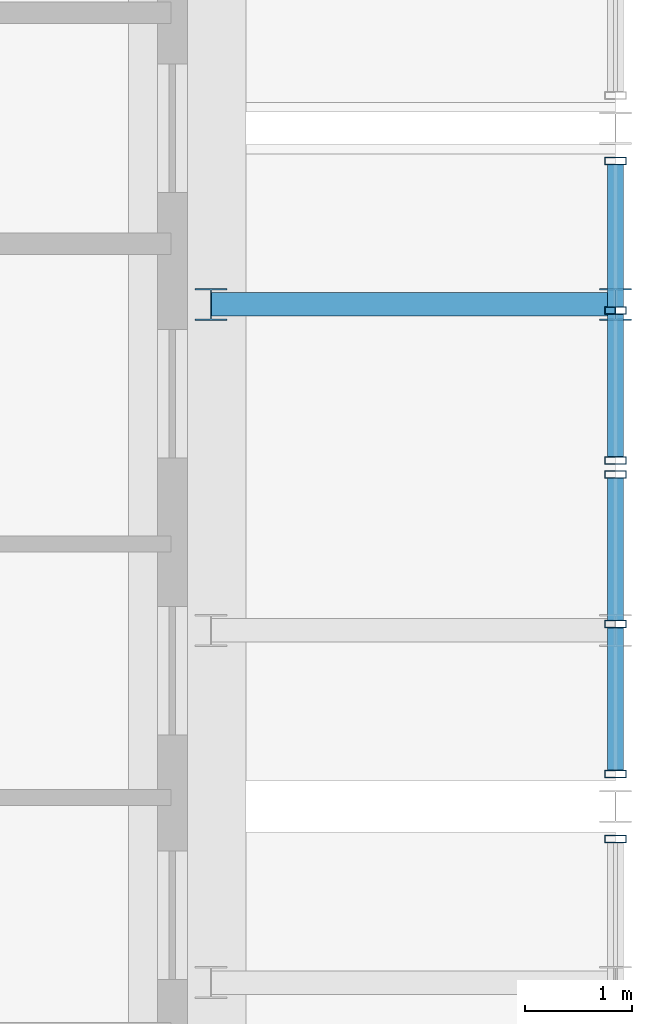
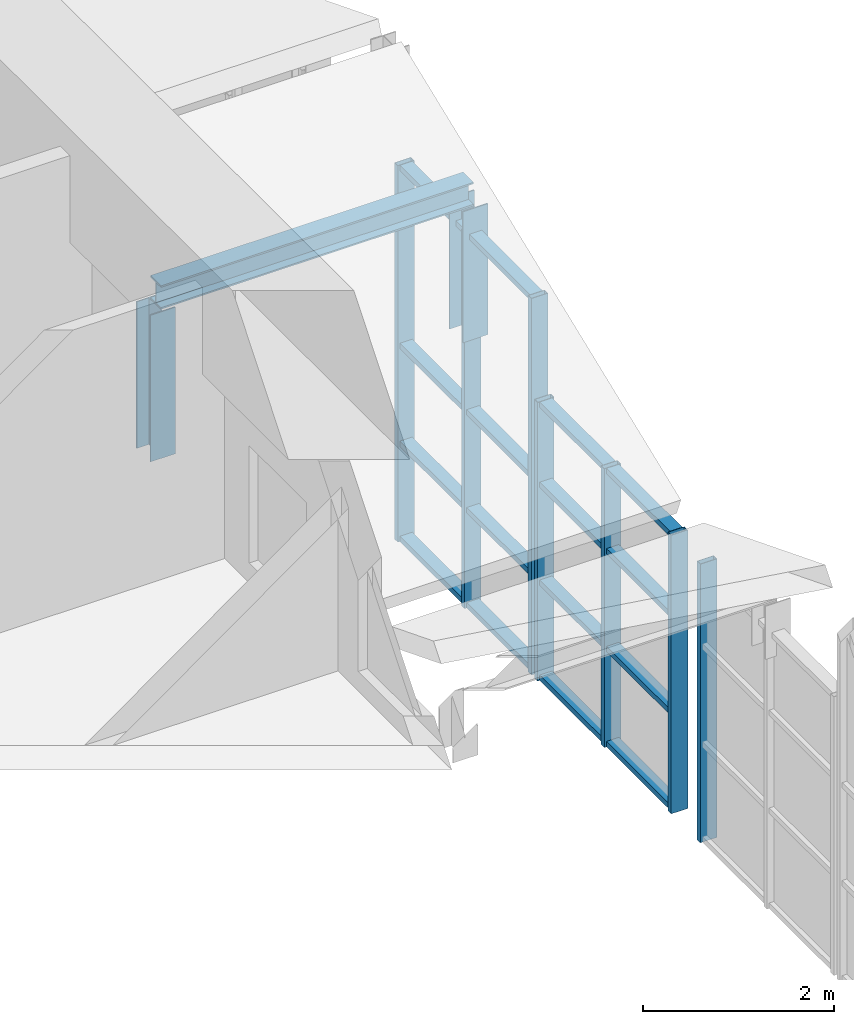
# One storey, part 16 of 45: 26 members, 3 elements without a shape of their own.
"""IFC4 building model written with IfcOpenShell, lengths in metres."""

import ifcopenshell
import ifcopenshell.guid

model = None  # the IFC model being written
_history = None  # IfcOwnerHistory: only IFC2X3 demands one
_inside = {}  # id of a spatial element -> (the spatial element, [elements in it])
_under = {}  # id of a project, library or spatial element -> (it, [spatial elements below it])
_declared = {}  # id of a project -> (the project, [libraries it declares])
_typed = {}  # id of a type object -> (the type object, [elements of that type])
_made_of = {}  # id of a material, layer set ... -> (it, [elements and type objects made of it])


def new_model(schema):
    """Start an empty IFC model of exactly this schema.

    Asked for "IFC4X3", IfcOpenShell would pick the latest addendum, in which some entities
    have other attributes; the version numbers below select the first issue.
    IFC2X3 requires an IfcOwnerHistory on every rooted entity: one is made here for all.
    """
    global model, _history
    if schema == "IFC4X3":
        model = ifcopenshell.file(schema_version=(4, 3, 0, 0))
    else:
        model = ifcopenshell.file(schema=schema)
    _inside.clear()
    _under.clear()
    _declared.clear()
    _typed.clear()
    _made_of.clear()
    _history = None
    if model.schema == "IFC2X3":
        org = make("IfcOrganization", Name="unknown")
        user = make(
            "IfcPersonAndOrganization",
            ThePerson=make("IfcPerson", FamilyName="unknown"),
            TheOrganization=org,
        )
        app = make(
            "IfcApplication",
            ApplicationDeveloper=org,
            Version="unknown",
            ApplicationFullName="unknown",
            ApplicationIdentifier="unknown",
        )
        _history = make(
            "IfcOwnerHistory",
            OwningUser=user,
            OwningApplication=app,
            ChangeAction="ADDED",
            CreationDate=0,
        )
    return model


def make(cls, **values):
    """One entity of the class cls with the attributes given. An attribute that is None is left unset."""
    return model.create_entity(
        cls, **{name: value for name, value in values.items() if value is not None}
    )


def rooted(cls, **values):
    """An entity with a GlobalId (a new one), such as an element, a storey or a relation."""
    return make(cls, GlobalId=ifcopenshell.guid.new(), OwnerHistory=_history, **values)


def si_unit(unit_type, name, prefix=None):
    """IfcSIUnit, for example si_unit("LENGTHUNIT", "METRE", prefix="MILLI")."""
    return make("IfcSIUnit", UnitType=unit_type, Prefix=prefix, Name=name)


def assignment(units):
    """IfcUnitAssignment: the units of a project."""
    return None if units is None else make("IfcUnitAssignment", Units=units)


def point(xyz):
    """IfcCartesianPoint."""
    return None if xyz is None else make("IfcCartesianPoint", Coordinates=xyz)


def direction(xyz):
    """IfcDirection."""
    return None if xyz is None else make("IfcDirection", DirectionRatios=xyz)


def frame(location, z_axis=None, x_axis=None):
    """IfcAxis2Placement3D, a coordinate frame: its origin and axes. An axis left out is left unset."""
    return make(
        "IfcAxis2Placement3D",
        Location=point(location),
        Axis=direction(z_axis),
        RefDirection=direction(x_axis),
    )


def frame_2d(location, x_axis=None):
    """IfcAxis2Placement2D, a coordinate frame in the plane: its origin and x axis."""
    return make(
        "IfcAxis2Placement2D", Location=point(location), RefDirection=direction(x_axis)
    )


def origin():
    """The frame at (0, 0, 0) with its axes left unset."""
    return frame((0.0, 0.0, 0.0))


def origin_2d():
    """The frame at (0, 0) in the plane with its x axis left unset."""
    return frame_2d((0.0, 0.0))


def place(relative_to, where):
    """IfcLocalPlacement: puts the frame where relative to a parent placement (None: the world)."""
    return make(
        "IfcLocalPlacement", PlacementRelTo=relative_to, RelativePlacement=where
    )


def context(
    kind, dimensions, precision=None, world=None, true_north=None, identifier=None
):
    """IfcGeometricRepresentationContext, for example the 3D "Model" context."""
    return make(
        "IfcGeometricRepresentationContext",
        ContextIdentifier=identifier,
        ContextType=kind,
        CoordinateSpaceDimension=dimensions,
        Precision=precision,
        WorldCoordinateSystem=world,
        TrueNorth=true_north,
    )


def subcontext(parent, identifier, kind, view, scale=None):
    """IfcGeometricRepresentationSubContext, for example "Body" below "Model"."""
    return make(
        "IfcGeometricRepresentationSubContext",
        ContextIdentifier=identifier,
        ContextType=kind,
        ParentContext=parent,
        TargetScale=scale,
        TargetView=view,
    )


def project(units=None, contexts=None):
    """IfcProject with its units and contexts."""
    return rooted(
        "IfcProject",
        Name="project",
        RepresentationContexts=contexts,
        UnitsInContext=assignment(units),
    )


def spatial(cls, under=None, at=None, **own):
    """A site, building, storey or space (cls), placed at a placement, below another one or the project."""
    s = rooted(cls, ObjectPlacement=at, **own)
    if under is not None:
        _under.setdefault(under.id(), (under, []))[1].append(s)
    return s


def profile(cls, at=None, kind="AREA", **sizes):
    """A parametric profile (cls). Its sizes go by their IFC names, for example OverallWidth=200.0."""
    return make(cls, ProfileType=kind, Position=at, **sizes)


def hollow_rectangle(**sizes):
    """IfcRectangleHollowProfileDef."""
    return profile("IfcRectangleHollowProfileDef", **sizes)


def i_section(**sizes):
    """IfcIShapeProfileDef."""
    return profile("IfcIShapeProfileDef", **sizes)


def extrude(swept, where, along, depth):
    """IfcExtrudedAreaSolid: the profile swept, set in the frame where, extruded along a direction by depth."""
    return make(
        "IfcExtrudedAreaSolid",
        SweptArea=swept,
        Position=where,
        ExtrudedDirection=direction(along),
        Depth=depth,
    )


def shape(context_of_items, identifier, shape_type, items):
    """IfcShapeRepresentation: the items that make up one representation, for example the "Body"."""
    return make(
        "IfcShapeRepresentation",
        ContextOfItems=context_of_items,
        RepresentationIdentifier=identifier,
        RepresentationType=shape_type,
        Items=items,
    )


def source(mapping_origin, context_of_items, identifier, shape_type, items):
    """IfcRepresentationMap: a shape defined once, which mapped items show again and again."""
    return make(
        "IfcRepresentationMap",
        MappingOrigin=mapping_origin,
        MappedRepresentation=shape(context_of_items, identifier, shape_type, items),
    )


def transform(
    local_origin,
    x_axis=None,
    y_axis=None,
    z_axis=None,
    scale=None,
    scale2=None,
    scale3=None,
    uniform=True,
):
    """IfcCartesianTransformationOperator3D, or its non-uniform kind. x_axis, y_axis, z_axis: its Axis1, 2, 3."""
    if uniform:
        return make(
            "IfcCartesianTransformationOperator3D",
            Axis1=direction(x_axis),
            Axis2=direction(y_axis),
            LocalOrigin=point(local_origin),
            Scale=scale,
            Axis3=direction(z_axis),
        )
    return make(
        "IfcCartesianTransformationOperator3DnonUniform",
        Axis1=direction(x_axis),
        Axis2=direction(y_axis),
        LocalOrigin=point(local_origin),
        Scale=scale,
        Axis3=direction(z_axis),
        Scale2=scale2,
        Scale3=scale3,
    )


def mapped(mapping_source, mapping_target):
    """IfcMappedItem: shows the shape of a source again, moved by a transform."""
    return make(
        "IfcMappedItem", MappingSource=mapping_source, MappingTarget=mapping_target
    )


def material(Name=None, Category=None):
    """IfcMaterial."""
    return make("IfcMaterial", Name=Name, Category=Category)


def layer(
    of_material, thickness, ventilated=None, Name=None, Category=None, Priority=None
):
    """IfcMaterialLayer: one layer of a wall or slab, of a material (None: an air gap)."""
    return make(
        "IfcMaterialLayer",
        Material=of_material,
        LayerThickness=thickness,
        IsVentilated=ventilated,
        Name=Name,
        Category=Category,
        Priority=Priority,
    )


def layer_set(layers, Name=None):
    """IfcMaterialLayerSet."""
    return make("IfcMaterialLayerSet", MaterialLayers=layers, LayerSetName=Name)


def material_profile(
    of_material, cross_section, Name=None, Category=None, Priority=None
):
    """IfcMaterialProfile: a cross section and its material."""
    return make(
        "IfcMaterialProfile",
        Name=Name,
        Material=of_material,
        Profile=cross_section,
        Priority=Priority,
        Category=Category,
    )


def profile_set(profiles, Name=None, composite=None):
    """IfcMaterialProfileSet."""
    return make(
        "IfcMaterialProfileSet",
        Name=Name,
        MaterialProfiles=profiles,
        CompositeProfile=composite,
    )


def made_of(thing, what):
    """Note that an element or type object is made of a material, layer set ...; save() writes the relation."""
    if what is not None:
        _made_of.setdefault(what.id(), (what, []))[1].append(thing)
    return thing


def type_object(cls, material=None, **own):
    """A type object (cls), such as IfcWallType, which elements share."""
    return made_of(rooted(cls, **own), material)


def element(
    cls,
    number,
    at=None,
    inside=None,
    cuts=None,
    type_object=None,
    material=None,
    context=None,
    identifier="Body",
    shape_type=None,
    held_by="IfcProductDefinitionShape",
    body=None,
    shapes=None,
    **own,
):
    """One element of the class cls, such as IfcWall. Its Tag is "e" and its number.

    at: its placement. inside: the storey or other place that contains it. cuts: it is an
    opening in that element (IfcRelVoidsElement). A single representation is given by context,
    identifier, shape_type and body (its items); several are given by shapes. held_by: the class
    of the entity that holds the representations. save() writes the other relations.
    """
    e = rooted(cls, Tag="e%d" % number, ObjectPlacement=at, **own)
    if body is not None:
        shapes = [shape(context, identifier, shape_type, body)]
    if shapes is not None:
        e.Representation = make(held_by, Representations=shapes)
    if inside is not None:
        _inside.setdefault(inside.id(), (inside, []))[1].append(e)
    if cuts is not None:
        rooted(
            "IfcRelVoidsElement", RelatingBuildingElement=cuts, RelatedOpeningElement=e
        )
    if type_object is not None:
        _typed.setdefault(type_object.id(), (type_object, []))[1].append(e)
    return made_of(e, material)


def aggregate(whole, parts):
    """IfcRelAggregates: a whole, such as a stair, and the parts it consists of."""
    return rooted("IfcRelAggregates", RelatingObject=whole, RelatedObjects=parts)


def save(model, path):
    """Write the relations noted so far, then the file.

    IfcRelAggregates (storeys below a building ...), IfcRelContainedInSpatialStructure (elements
    in a storey), IfcRelDefinesByType, IfcRelAssociatesMaterial and IfcRelDeclares: one each for
    every whole, place, type object, material and project.
    """
    for whole, parts in _under.values():
        aggregate(whole, parts)
    for where, things in _inside.values():
        rooted(
            "IfcRelContainedInSpatialStructure",
            RelatedElements=things,
            RelatingStructure=where,
        )
    for kind, things in _typed.values():
        rooted("IfcRelDefinesByType", RelatedObjects=things, RelatingType=kind)
    for what, things in _made_of.values():
        rooted("IfcRelAssociatesMaterial", RelatedObjects=things, RelatingMaterial=what)
    for by, libraries in _declared.values():
        rooted("IfcRelDeclares", RelatingContext=by, RelatedDefinitions=libraries)
    model.write(path)


model = new_model("IFC4")

# Units and contexts
model_context = context("Model", 3, precision=1e-05, world=origin(), true_north=direction((0.0, 1.0)))
body_context = subcontext(model_context, "Body", "Model", "MODEL_VIEW")
ifc_project = project(units=[si_unit("LENGTHUNIT", "METRE"), si_unit("AREAUNIT", "SQUARE_METRE"), si_unit("VOLUMEUNIT", "CUBIC_METRE"), si_unit("PLANEANGLEUNIT", "RADIAN"), si_unit("MASSUNIT", "GRAM", prefix="KILO")], contexts=[model_context])

# Site, building, storey
site_placement = place(None, origin())
site = spatial("IfcSite", under=ifc_project, at=site_placement, CompositionType="ELEMENT")
building_placement = place(site_placement, origin())
building = spatial("IfcBuilding", under=site, at=building_placement, Name="Saelheon Loggia Tower", CompositionType="ELEMENT")
storey_placement = place(building_placement, frame((0.0, 0.0, 152.199951171875)))
storey = spatial("IfcBuildingStorey", under=building, at=storey_placement, Name="L48", CompositionType="ELEMENT", Elevation=152.199951171875)

# Members
ifc_material_1 = material(Name="Steel SM355", Category="steel")
ifc_material_profile_1 = material_profile(ifc_material_1, i_section(OverallWidth=0.219970703125, OverallDepth=0.300048828125, WebThickness=0.011962890625, FlangeThickness=0.02001953125, at=origin_2d()), Name="H-300x220x12x20")
ifc_profile_set_1 = profile_set([ifc_material_profile_1], Name="Steel SM355")
member_type_1 = type_object("IfcMemberType", Name="Roof_ShoulderPurlin_RHS300", PredefinedType="PURLIN", material=ifc_profile_set_1)
shared_shape_1 = source(origin(), body_context, "Body", "SweptSolid", [
    extrude(i_section(OverallWidth=0.219970703125, OverallDepth=0.300048828125, WebThickness=0.011962890625, FlangeThickness=0.02001953125, at=origin_2d()), origin(), (0.0, 0.0, 1.0), 3.780029296875),
])
member_1_placement = place(storey_placement, frame((64.0, 25.355224609375, 1.823486328125), z_axis=(-1.0, 0.0, 0.0), x_axis=(0.0, -1.0, 0.0)))
element("IfcMember", 1, at=member_1_placement, inside=storey, type_object=member_type_1, Name="Tier 1 Wave Crest Rafter E 03 B", PredefinedType="PURLIN", context=body_context, shape_type="MappedRepresentation", body=[
    mapped(shared_shape_1, transform((0.0, 0.0, 0.0), scale=1.0)),
])
ifc_material_profile_2 = material_profile(ifc_material_1, i_section(OverallWidth=0.300048828125, OverallDepth=0.300048828125, WebThickness=0.010009765625, FlangeThickness=0.014892578125, at=origin_2d()), Name="H-300x300x10x15")
ifc_profile_set_2 = profile_set([ifc_material_profile_2], Name="Steel SM355")
member_type_2 = type_object("IfcMemberType", Name="WaveCrest_Post_H300", PredefinedType="POST", material=ifc_profile_set_2)
shared_shape_2 = source(origin(), body_context, "Body", "SweptSolid", [
    extrude(i_section(OverallWidth=0.300048828125, OverallDepth=0.300048828125, WebThickness=0.010009765625, FlangeThickness=0.014892578125, at=origin_2d()), origin(), (0.0, 0.0, 1.0), 1.673583984375),
])
member_2_placement = place(storey_placement, frame((64.0, 25.355224609375, 0.0), z_axis=(0.0, 0.0, 1.0), x_axis=(1.0, 0.0, 0.0)))
element("IfcMember", 2, at=member_2_placement, inside=storey, type_object=member_type_2, Name="Tier 1 Rafter Outer Upper Post E 03", PredefinedType="POST", context=body_context, shape_type="MappedRepresentation", body=[
    mapped(shared_shape_2, transform((0.0, 0.0, 0.0), scale=1.0)),
])
ifc_material_profile_3 = material_profile(ifc_material_1, i_section(OverallWidth=0.300048828125, OverallDepth=0.300048828125, WebThickness=0.010009765625, FlangeThickness=0.014892578125, at=origin_2d()), Name="H-300x300x10x15")
ifc_profile_set_3 = profile_set([ifc_material_profile_3], Name="Steel SM355")
member_type_3 = type_object("IfcMemberType", Name="Belt_Post_H300", PredefinedType="POST", material=ifc_profile_set_3)
shared_shape_3 = source(origin(), body_context, "Body", "SweptSolid", [
    extrude(i_section(OverallWidth=0.300048828125, OverallDepth=0.300048828125, WebThickness=0.010009765625, FlangeThickness=0.014892578125, at=origin_2d()), origin(), (0.0, 0.0, 1.0), 1.87353515625),
])
member_3_placement = place(storey_placement, frame((60.219970703125, 25.355224609375, -0.199951171875), z_axis=(0.0, 0.0, 1.0), x_axis=(1.0, 0.0, 0.0)))
element("IfcMember", 3, at=member_3_placement, inside=storey, type_object=member_type_3, Name="Tier 1 Rafter Inner Post E 03", PredefinedType="POST", context=body_context, shape_type="MappedRepresentation", body=[
    mapped(shared_shape_3, transform((0.0, 0.0, 0.0), scale=1.0)),
])

# Curtain wall, member
ifc_material_2 = material(Name="Bronze-Anodised Aluminium and Fritted Ceramic Screen", Category="aluminium")
ifc_layer = layer(ifc_material_2, 0.219970703125)
ifc_layer_set = layer_set([ifc_layer], Name="Bronze-Anodised Aluminium and Fritted Ceramic Screen")
curtain_wall_type = type_object("IfcCurtainWallType", Name="CW_CrownScreen", PredefinedType="NOTDEFINED", material=ifc_layer_set)
curtain_wall_1_placement = place(storey_placement, origin())
curtain_wall_1 = element("IfcCurtainWall", 4, at=curtain_wall_1_placement, inside=storey, type_object=curtain_wall_type, Name="Tier 1 Wave Crest Glazing E 02-2", PredefinedType="NOTDEFINED")
ifc_material_3 = material(Name="Bronze-Anodised Aluminium 6063-T6", Category="aluminium")
ifc_material_profile_4 = material_profile(ifc_material_3, hollow_rectangle(XDim=0.070068359375, YDim=0.199951171875, WallThickness=0.0048828125, at=origin_2d()), Name="RHS-200x70x5")
ifc_profile_set_4 = profile_set([ifc_material_profile_4], Name="Bronze-Anodised Aluminium 6063-T6")
member_type_4 = type_object("IfcMemberType", Name="CW_CrownScreen_Mullion", PredefinedType="MULLION", material=ifc_profile_set_4)
shared_shape_4 = source(origin(), body_context, "Body", "SweptSolid", [
    extrude(hollow_rectangle(XDim=0.070068359375, YDim=0.199951171875, WallThickness=0.0048828125, at=origin_2d()), origin(), (0.0, 0.0, 1.0), 3.56005859375),
])
member_4_placement = place(storey_placement, frame((64.0, 20.36181640625, -3.449951171875), z_axis=(0.0, 0.0, 1.0), x_axis=(0.0, 1.0, 0.0)))
member_4 = element("IfcMember", 5, at=member_4_placement, type_object=member_type_4, Name="CW6 mullion 3", PredefinedType="MULLION", context=body_context, shape_type="MappedRepresentation", body=[
    mapped(shared_shape_4, transform((0.0, 0.0, 0.0), scale=1.0)),
])
aggregate(curtain_wall_1, [member_4])

# Curtain wall, members
curtain_wall_2_placement = place(storey_placement, origin())
curtain_wall_2 = element("IfcCurtainWall", 6, at=curtain_wall_2_placement, inside=storey, type_object=curtain_wall_type, Name="Tier 1 Wave Crest Glazing E 03-1", PredefinedType="NOTDEFINED")
member_5_placement = place(storey_placement, frame((64.0, 20.9716796875, -3.449951171875), z_axis=(0.0, 0.0, 1.0), x_axis=(0.0, 1.0, 0.0)))
member_5 = element("IfcMember", 7, at=member_5_placement, type_object=member_type_4, Name="CW6 mullion 1", PredefinedType="MULLION", context=body_context, shape_type="MappedRepresentation", body=[
    mapped(shared_shape_4, transform((0.0, 0.0, 0.0), scale=1.0)),
])
member_6_placement = place(storey_placement, frame((64.0, 22.3701171875, -3.449951171875), z_axis=(0.0, 0.0, 1.0), x_axis=(0.0, 1.0, 0.0)))
member_6 = element("IfcMember", 8, at=member_6_placement, type_object=member_type_4, Name="CW6 mullion 2", PredefinedType="MULLION", context=body_context, shape_type="MappedRepresentation", body=[
    mapped(shared_shape_4, transform((0.0, 0.0, 0.0), scale=1.0)),
])
member_7_placement = place(storey_placement, frame((64.0, 23.768310546875, -3.449951171875), z_axis=(0.0, 0.0, 1.0), x_axis=(0.0, 1.0, 0.0)))
member_7 = element("IfcMember", 9, at=member_7_placement, type_object=member_type_4, Name="CW6 mullion 3", PredefinedType="MULLION", context=body_context, shape_type="MappedRepresentation", body=[
    mapped(shared_shape_4, transform((0.0, 0.0, 0.0), scale=1.0)),
])
ifc_material_profile_5 = material_profile(ifc_material_3, hollow_rectangle(XDim=0.070068359375, YDim=0.14990234375, WallThickness=0.0048828125, at=origin_2d()), Name="RHS-150x70x5")
ifc_profile_set_5 = profile_set([ifc_material_profile_5], Name="Bronze-Anodised Aluminium 6063-T6")
member_type_5 = type_object("IfcMemberType", Name="CW_CrownScreen_Transom", PredefinedType="USERDEFINED", material=ifc_profile_set_5)
shared_shape_5 = source(origin(), body_context, "Body", "SweptSolid", [
    extrude(hollow_rectangle(XDim=0.070068359375, YDim=0.14990234375, WallThickness=0.0048828125, at=origin_2d()), origin(), (0.0, 0.0, 1.0), 1.328369140625),
])
member_8_placement = place(storey_placement, frame((64.0, 21.006591796875, -3.4150390625), z_axis=(0.0, 1.0, 0.0), x_axis=(0.0, 0.0, 1.0)))
member_8 = element("IfcMember", 10, at=member_8_placement, type_object=member_type_5, Name="CW6 transom 1.1", ObjectType="TRANSOM", PredefinedType="USERDEFINED", context=body_context, shape_type="MappedRepresentation", body=[
    mapped(shared_shape_5, transform((0.0, 0.0, 0.0), scale=1.0)),
])
member_9_placement = place(storey_placement, frame((64.0, 21.006591796875, -2.199951171875), z_axis=(0.0, 1.0, 0.0), x_axis=(0.0, 0.0, 1.0)))
member_9 = element("IfcMember", 11, at=member_9_placement, type_object=member_type_5, Name="CW6 transom 1.2", ObjectType="TRANSOM", PredefinedType="USERDEFINED", context=body_context, shape_type="MappedRepresentation", body=[
    mapped(shared_shape_5, transform((0.0, 0.0, 0.0), scale=1.0)),
])
member_10_placement = place(storey_placement, frame((64.0, 21.006591796875, -0.949951171875), z_axis=(0.0, 1.0, 0.0), x_axis=(0.0, 0.0, 1.0)))
member_10 = element("IfcMember", 12, at=member_10_placement, type_object=member_type_5, Name="CW6 transom 1.3", ObjectType="TRANSOM", PredefinedType="USERDEFINED", context=body_context, shape_type="MappedRepresentation", body=[
    mapped(shared_shape_5, transform((0.0, 0.0, 0.0), scale=1.0)),
])
member_11_placement = place(storey_placement, frame((64.0, 21.006591796875, 0.074951171875), z_axis=(0.0, 1.0, 0.0), x_axis=(0.0, 0.0, 1.0)))
member_11 = element("IfcMember", 13, at=member_11_placement, type_object=member_type_5, Name="CW6 transom 1.4", ObjectType="TRANSOM", PredefinedType="USERDEFINED", context=body_context, shape_type="MappedRepresentation", body=[
    mapped(shared_shape_5, transform((0.0, 0.0, 0.0), scale=1.0)),
])
member_12_placement = place(storey_placement, frame((64.0, 22.405029296875, -3.4150390625), z_axis=(0.0, 1.0, 0.0), x_axis=(0.0, 0.0, 1.0)))
member_12 = element("IfcMember", 14, at=member_12_placement, type_object=member_type_5, Name="CW6 transom 2.1", ObjectType="TRANSOM", PredefinedType="USERDEFINED", context=body_context, shape_type="MappedRepresentation", body=[
    mapped(shared_shape_5, transform((0.0, 0.0, 0.0), scale=1.0)),
])
member_13_placement = place(storey_placement, frame((64.0, 22.405029296875, -2.199951171875), z_axis=(0.0, 1.0, 0.0), x_axis=(0.0, 0.0, 1.0)))
member_13 = element("IfcMember", 15, at=member_13_placement, type_object=member_type_5, Name="CW6 transom 2.2", ObjectType="TRANSOM", PredefinedType="USERDEFINED", context=body_context, shape_type="MappedRepresentation", body=[
    mapped(shared_shape_5, transform((0.0, 0.0, 0.0), scale=1.0)),
])
member_14_placement = place(storey_placement, frame((64.0, 22.405029296875, -0.949951171875), z_axis=(0.0, 1.0, 0.0), x_axis=(0.0, 0.0, 1.0)))
member_14 = element("IfcMember", 16, at=member_14_placement, type_object=member_type_5, Name="CW6 transom 2.3", ObjectType="TRANSOM", PredefinedType="USERDEFINED", context=body_context, shape_type="MappedRepresentation", body=[
    mapped(shared_shape_5, transform((0.0, 0.0, 0.0), scale=1.0)),
])
member_15_placement = place(storey_placement, frame((64.0, 22.405029296875, 0.074951171875), z_axis=(0.0, 1.0, 0.0), x_axis=(0.0, 0.0, 1.0)))
member_15 = element("IfcMember", 17, at=member_15_placement, type_object=member_type_5, Name="CW6 transom 2.4", ObjectType="TRANSOM", PredefinedType="USERDEFINED", context=body_context, shape_type="MappedRepresentation", body=[
    mapped(shared_shape_5, transform((0.0, 0.0, 0.0), scale=1.0)),
])
aggregate(curtain_wall_2, [member_5, member_6, member_7, member_8, member_9, member_10, member_11, member_12, member_13, member_14, member_15])

curtain_wall_3_placement = place(storey_placement, origin())
curtain_wall_3 = element("IfcCurtainWall", 18, at=curtain_wall_3_placement, inside=storey, type_object=curtain_wall_type, Name="Tier 1 Wave Crest Glazing E 03-2", PredefinedType="NOTDEFINED")
member_16_placement = place(storey_placement, frame((64.0, 23.933349609375, -3.4150390625), z_axis=(0.0, 1.0, 0.0), x_axis=(0.0, 0.0, 1.0)))
member_16 = element("IfcMember", 19, at=member_16_placement, type_object=member_type_5, Name="CW6 transom 1.1", ObjectType="TRANSOM", PredefinedType="USERDEFINED", context=body_context, shape_type="MappedRepresentation", body=[
    mapped(shared_shape_5, transform((0.0, 0.0, 0.0), scale=1.0)),
])
member_17_placement = place(storey_placement, frame((64.0, 23.933349609375, -2.199951171875), z_axis=(0.0, 1.0, 0.0), x_axis=(0.0, 0.0, 1.0)))
member_17 = element("IfcMember", 20, at=member_17_placement, type_object=member_type_5, Name="CW6 transom 1.2", ObjectType="TRANSOM", PredefinedType="USERDEFINED", context=body_context, shape_type="MappedRepresentation", body=[
    mapped(shared_shape_5, transform((0.0, 0.0, 0.0), scale=1.0)),
])
member_18_placement = place(storey_placement, frame((64.0, 23.933349609375, -0.949951171875), z_axis=(0.0, 1.0, 0.0), x_axis=(0.0, 0.0, 1.0)))
member_18 = element("IfcMember", 21, at=member_18_placement, type_object=member_type_5, Name="CW6 transom 1.3", ObjectType="TRANSOM", PredefinedType="USERDEFINED", context=body_context, shape_type="MappedRepresentation", body=[
    mapped(shared_shape_5, transform((0.0, 0.0, 0.0), scale=1.0)),
])
member_19_placement = place(storey_placement, frame((64.0, 23.933349609375, 1.324951171875), z_axis=(0.0, 1.0, 0.0), x_axis=(0.0, 0.0, 1.0)))
member_19 = element("IfcMember", 22, at=member_19_placement, type_object=member_type_5, Name="CW6 transom 1.4", ObjectType="TRANSOM", PredefinedType="USERDEFINED", context=body_context, shape_type="MappedRepresentation", body=[
    mapped(shared_shape_5, transform((0.0, 0.0, 0.0), scale=1.0)),
])
shared_shape_6 = source(origin(), body_context, "Body", "SweptSolid", [
    extrude(hollow_rectangle(XDim=0.070068359375, YDim=0.199951171875, WallThickness=0.0048828125, at=origin_2d()), origin(), (0.0, 0.0, 1.0), 4.81005859375),
])
member_20_placement = place(storey_placement, frame((64.0, 23.8984375, -3.449951171875), z_axis=(0.0, 0.0, 1.0), x_axis=(0.0, 1.0, 0.0)))
member_20 = element("IfcMember", 23, at=member_20_placement, type_object=member_type_4, Name="CW6 mullion 1", PredefinedType="MULLION", context=body_context, shape_type="MappedRepresentation", body=[
    mapped(shared_shape_6, transform((0.0, 0.0, 0.0), scale=1.0)),
])
member_21_placement = place(storey_placement, frame((64.0, 25.296630859375, -3.449951171875), z_axis=(0.0, 0.0, 1.0), x_axis=(0.0, 1.0, 0.0)))
member_21 = element("IfcMember", 24, at=member_21_placement, type_object=member_type_4, Name="CW6 mullion 2", PredefinedType="MULLION", context=body_context, shape_type="MappedRepresentation", body=[
    mapped(shared_shape_6, transform((0.0, 0.0, 0.0), scale=1.0)),
])
member_22_placement = place(storey_placement, frame((64.0, 26.695068359375, -3.449951171875), z_axis=(0.0, 0.0, 1.0), x_axis=(0.0, 1.0, 0.0)))
member_22 = element("IfcMember", 25, at=member_22_placement, type_object=member_type_4, Name="CW6 mullion 3", PredefinedType="MULLION", context=body_context, shape_type="MappedRepresentation", body=[
    mapped(shared_shape_6, transform((0.0, 0.0, 0.0), scale=1.0)),
])
shared_shape_7 = source(origin(), body_context, "Body", "SweptSolid", [
    extrude(hollow_rectangle(XDim=0.070068359375, YDim=0.14990234375, WallThickness=0.0048828125, at=origin_2d()), origin(), (0.0, 0.0, 1.0), 1.328125),
])
member_23_placement = place(storey_placement, frame((64.0, 25.331787109375, -3.4150390625), z_axis=(0.0, 1.0, 0.0), x_axis=(0.0, 0.0, 1.0)))
member_23 = element("IfcMember", 26, at=member_23_placement, type_object=member_type_5, Name="CW6 transom 2.1", ObjectType="TRANSOM", PredefinedType="USERDEFINED", context=body_context, shape_type="MappedRepresentation", body=[
    mapped(shared_shape_7, transform((0.0, 0.0, 0.0), scale=1.0)),
])
member_24_placement = place(storey_placement, frame((64.0, 25.331787109375, -2.199951171875), z_axis=(0.0, 1.0, 0.0), x_axis=(0.0, 0.0, 1.0)))
member_24 = element("IfcMember", 27, at=member_24_placement, type_object=member_type_5, Name="CW6 transom 2.2", ObjectType="TRANSOM", PredefinedType="USERDEFINED", context=body_context, shape_type="MappedRepresentation", body=[
    mapped(shared_shape_7, transform((0.0, 0.0, 0.0), scale=1.0)),
])
member_25_placement = place(storey_placement, frame((64.0, 25.331787109375, -0.949951171875), z_axis=(0.0, 1.0, 0.0), x_axis=(0.0, 0.0, 1.0)))
member_25 = element("IfcMember", 28, at=member_25_placement, type_object=member_type_5, Name="CW6 transom 2.3", ObjectType="TRANSOM", PredefinedType="USERDEFINED", context=body_context, shape_type="MappedRepresentation", body=[
    mapped(shared_shape_7, transform((0.0, 0.0, 0.0), scale=1.0)),
])
member_26_placement = place(storey_placement, frame((64.0, 25.331787109375, 1.324951171875), z_axis=(0.0, 1.0, 0.0), x_axis=(0.0, 0.0, 1.0)))
member_26 = element("IfcMember", 29, at=member_26_placement, type_object=member_type_5, Name="CW6 transom 2.4", ObjectType="TRANSOM", PredefinedType="USERDEFINED", context=body_context, shape_type="MappedRepresentation", body=[
    mapped(shared_shape_7, transform((0.0, 0.0, 0.0), scale=1.0)),
])
aggregate(curtain_wall_3, [member_20, member_21, member_22, member_16, member_17, member_18, member_19, member_23, member_24, member_25, member_26])

save(model, "model.ifc")
